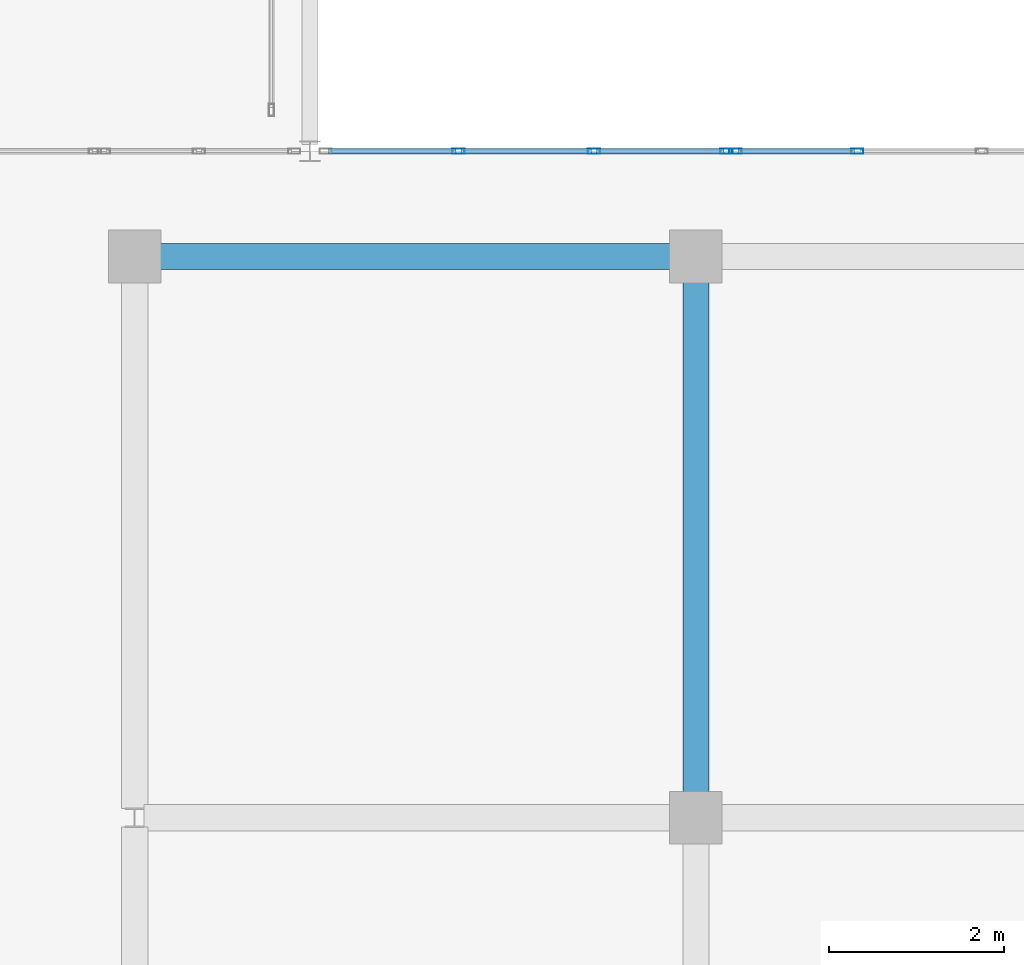
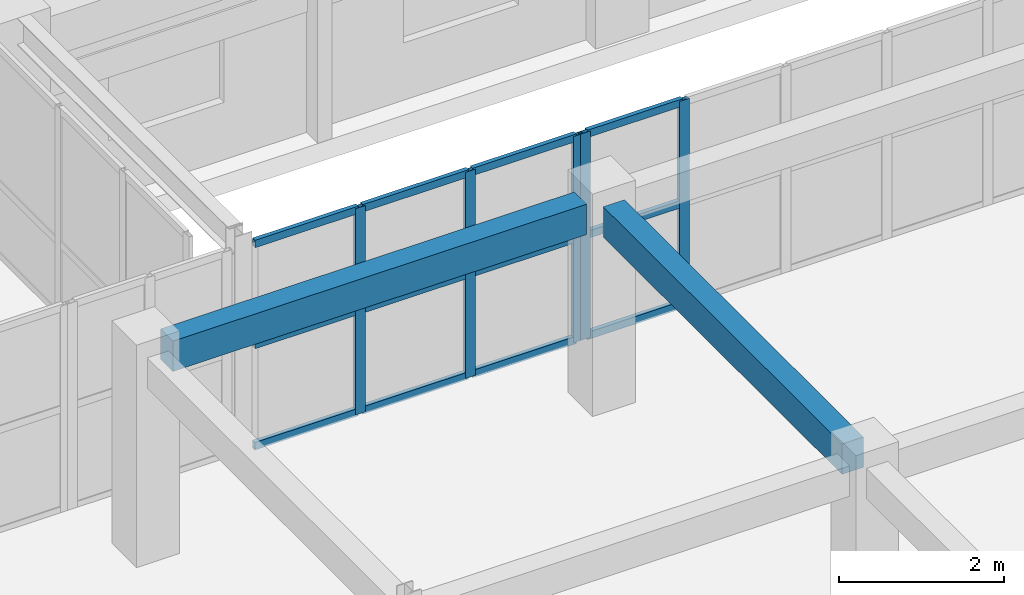
# One storey, part 118 of 200: 17 members, 2 beams, 2 elements without a shape of their own.
"""IFC4 building model written with IfcOpenShell, lengths in metres."""

from ifc_helpers import new_model, si_unit, direction, frame, origin, origin_2d, place, context, subcontext, project, spatial, rectangle, hollow_rectangle, extrude, material, layer, layer_set, material_profile, profile_set, type_object, element, aggregate, save


model = new_model("IFC4")

# Units and contexts
model_context = context("Model", 3, precision=1e-05, world=origin(), true_north=direction((0.0, 1.0)))
body_context = subcontext(model_context, "Body", "Model", "MODEL_VIEW")
ifc_project = project(units=[si_unit("LENGTHUNIT", "METRE"), si_unit("AREAUNIT", "SQUARE_METRE"), si_unit("VOLUMEUNIT", "CUBIC_METRE"), si_unit("PLANEANGLEUNIT", "RADIAN"), si_unit("MASSUNIT", "GRAM", prefix="KILO")], contexts=[model_context])

# Site, building, storey
site_placement = place(None, origin())
site = spatial("IfcSite", under=ifc_project, at=site_placement, CompositionType="ELEMENT")
building_placement = place(site_placement, origin())
building = spatial("IfcBuilding", under=site, at=building_placement, Name="Trelvath General Hospital", CompositionType="ELEMENT")
storey_placement = place(building_placement, frame((0.0, 0.0, 4.800048828125)))
storey = spatial("IfcBuildingStorey", under=building, at=storey_placement, Name="L01", CompositionType="ELEMENT", Elevation=4.800048828125)

# Beams
ifc_material_1 = material(Name="Concrete C35/45", Category="concrete")
ifc_material_profile_1 = material_profile(ifc_material_1, rectangle(XDim=0.300048828125, YDim=0.449951171875, at=origin_2d()), Name="RCB300x450")
ifc_profile_set_1 = profile_set([ifc_material_profile_1], Name="Concrete C35/45")
beam_type = type_object("IfcBeamType", Name="Beam RC300x450", PredefinedType="BEAM", material=ifc_profile_set_1)
for number, where, z_axis, x_axis, name in (
    (1, (107.49609375, 85.60009765625, 2.8349609375), (1.0, 0.0, 0.0), (0.0, 1.0, 0.0), "Cube Interior Ring Beam CUBE-E-T0 L01"),
    (2, (113.60009765625, 79.49609375, 2.8349609375), (0.0, 1.0, 0.0), (-1.0, 0.0, 0.0), "Cube Interior Ring Beam CUBE-E-T0 L01"),
):
    element("IfcBeam", number, at=place(storey_placement, frame(where, z_axis=z_axis, x_axis=x_axis)), inside=storey, type_object=beam_type, Name=name, PredefinedType="BEAM", context=body_context, shape_type="SweptSolid", body=[
        extrude(rectangle(XDim=0.300048828125, YDim=0.449951171875, at=origin_2d()), origin(), (0.0, 0.0, 1.0), 5.807861328125),
    ])

# Curtain wall, members
ifc_material_2 = material(Name="Anodised aluminium and low-E glass", Category="aluminium")
ifc_layer_1 = layer(ifc_material_2, 0.14990234375)
ifc_layer_set_1 = layer_set([ifc_layer_1], Name="Anodised aluminium and low-E glass")
curtain_wall_type_1 = type_object("IfcCurtainWallType", Name="CW CrystalCube 463 306 15", PredefinedType="USERDEFINED", material=ifc_layer_set_1)
curtain_wall_1_placement = place(storey_placement, origin())
curtain_wall_1 = element("IfcCurtainWall", 3, at=curtain_wall_1_placement, inside=storey, type_object=curtain_wall_type_1, Name="Crystal Cube Curtain Wall CUBE-E-T0 N4 L01", ObjectType="Unitised Glazed Curtain Wall", PredefinedType="USERDEFINED")
ifc_material_3 = material(Name="Anodised aluminium", Category="aluminium")
ifc_material_profile_2 = material_profile(ifc_material_3, hollow_rectangle(XDim=0.06005859375, YDim=0.139892578125, WallThickness=0.00390625, at=origin_2d()), Name="RHS60x140x4")
ifc_profile_set_2 = profile_set([ifc_material_profile_2], Name="Anodised aluminium")
member_type_1 = type_object("IfcMemberType", Name="CurtainMullion 60x140", PredefinedType="MULLION", material=ifc_profile_set_2)
member_1_placement = place(storey_placement, frame((110.893310546875, 86.800048828125, 0.0), z_axis=(0.0, 0.0, 1.0), x_axis=(0.0, 1.0, 0.0)))
member_1 = element("IfcMember", 4, at=member_1_placement, type_object=member_type_1, Name="CW-158 mullion 2", PredefinedType="MULLION", context=body_context, shape_type="SweptSolid", body=[
    extrude(hollow_rectangle(XDim=0.06005859375, YDim=0.139892578125, WallThickness=0.00390625, at=origin_2d()), origin(), (0.0, 0.0, 1.0), 3.06005859375),
])
member_2_placement = place(storey_placement, frame((112.436767578125, 86.800048828125, 0.0), z_axis=(0.0, 0.0, 1.0), x_axis=(0.0, 1.0, 0.0)))
member_2 = element("IfcMember", 5, at=member_2_placement, type_object=member_type_1, Name="CW-158 mullion 3", PredefinedType="MULLION", context=body_context, shape_type="SweptSolid", body=[
    extrude(hollow_rectangle(XDim=0.06005859375, YDim=0.139892578125, WallThickness=0.00390625, at=origin_2d()), origin(), (0.0, 0.0, 1.0), 3.06005859375),
])
member_3_placement = place(storey_placement, frame((113.949951171875, 86.800048828125, 0.0), z_axis=(0.0, 0.0, 1.0), x_axis=(0.0, 1.0, 0.0)))
member_3 = element("IfcMember", 6, at=member_3_placement, type_object=member_type_1, Name="CW-158 mullion 4", PredefinedType="MULLION", context=body_context, shape_type="SweptSolid", body=[
    extrude(hollow_rectangle(XDim=0.06005859375, YDim=0.139892578125, WallThickness=0.00390625, at=origin_2d()), origin(), (0.0, 0.0, 1.0), 3.06005859375),
])

ifc_material_4 = material(Name="Anodised aluminium and low-E glass", Category="aluminium")
ifc_layer_2 = layer(ifc_material_4, 0.14990234375)
ifc_layer_set_2 = layer_set([ifc_layer_2], Name="Anodised aluminium and low-E glass")
curtain_wall_type_2 = type_object("IfcCurtainWallType", Name="CW CrystalCube 710 306 15", PredefinedType="USERDEFINED", material=ifc_layer_set_2)
curtain_wall_2_placement = place(storey_placement, origin())
curtain_wall_2 = element("IfcCurtainWall", 7, at=curtain_wall_2_placement, inside=storey, type_object=curtain_wall_type_2, Name="Crystal Cube Curtain Wall CUBE-E-T0 N5 L01", ObjectType="Unitised Glazed Curtain Wall", PredefinedType="USERDEFINED")
member_4_placement = place(storey_placement, frame((114.050048828125, 86.800048828125, 0.0), z_axis=(0.0, 0.0, 1.0), x_axis=(0.0, 1.0, 0.0)))
member_4 = element("IfcMember", 8, at=member_4_placement, type_object=member_type_1, Name="CW-159 mullion 1", PredefinedType="MULLION", context=body_context, shape_type="SweptSolid", body=[
    extrude(hollow_rectangle(XDim=0.06005859375, YDim=0.139892578125, WallThickness=0.00390625, at=origin_2d()), origin(), (0.0, 0.0, 1.0), 3.06005859375),
])
member_5_placement = place(storey_placement, frame((115.43994140625, 86.800048828125, 0.0), z_axis=(0.0, 0.0, 1.0), x_axis=(0.0, 1.0, 0.0)))
member_5 = element("IfcMember", 9, at=member_5_placement, type_object=member_type_1, Name="CW-159 mullion 2", PredefinedType="MULLION", context=body_context, shape_type="SweptSolid", body=[
    extrude(hollow_rectangle(XDim=0.06005859375, YDim=0.139892578125, WallThickness=0.00390625, at=origin_2d()), origin(), (0.0, 0.0, 1.0), 3.06005859375),
])

# Member
ifc_material_5 = material(Name="Anodised aluminium", Category="aluminium")
ifc_material_profile_3 = material_profile(ifc_material_5, hollow_rectangle(XDim=0.06005859375, YDim=0.110107421875, WallThickness=0.00390625, at=origin_2d()), Name="RHS60x110x4")
ifc_profile_set_3 = profile_set([ifc_material_profile_3], Name="Anodised aluminium")
member_type_2 = type_object("IfcMemberType", Name="CurtainTransom 60x110", PredefinedType="USERDEFINED", material=ifc_profile_set_3)
member_6_placement = place(storey_placement, frame((109.409912109375, 86.800048828125, 0.030029296875), z_axis=(1.0, 0.0, 0.0), x_axis=(0.0, 1.0, 0.0)))
member_6 = element("IfcMember", 10, at=member_6_placement, type_object=member_type_2, Name="CW-158 transom 1.1", ObjectType="TRANSOM", PredefinedType="USERDEFINED", context=body_context, shape_type="SweptSolid", body=[
    extrude(hollow_rectangle(XDim=0.06005859375, YDim=0.110107421875, WallThickness=0.00390625, at=origin_2d()), origin(), (0.0, 0.0, 1.0), 1.453369140625),
])

member_7_placement = place(storey_placement, frame((109.409912109375, 86.800048828125, 1.530029296875), z_axis=(1.0, 0.0, 0.0), x_axis=(0.0, 1.0, 0.0)))
member_7 = element("IfcMember", 11, at=member_7_placement, type_object=member_type_2, Name="CW-158 transom 1.2", ObjectType="TRANSOM", PredefinedType="USERDEFINED", context=body_context, shape_type="SweptSolid", body=[
    extrude(hollow_rectangle(XDim=0.06005859375, YDim=0.110107421875, WallThickness=0.00390625, at=origin_2d()), origin(), (0.0, 0.0, 1.0), 1.453369140625),
])

member_8_placement = place(storey_placement, frame((109.409912109375, 86.800048828125, 3.030029296875), z_axis=(1.0, 0.0, 0.0), x_axis=(0.0, 1.0, 0.0)))
member_8 = element("IfcMember", 12, at=member_8_placement, type_object=member_type_2, Name="CW-158 transom 1.3", ObjectType="TRANSOM", PredefinedType="USERDEFINED", context=body_context, shape_type="SweptSolid", body=[
    extrude(hollow_rectangle(XDim=0.06005859375, YDim=0.110107421875, WallThickness=0.00390625, at=origin_2d()), origin(), (0.0, 0.0, 1.0), 1.453369140625),
])

member_9_placement = place(storey_placement, frame((110.92333984375, 86.800048828125, 0.030029296875), z_axis=(1.0, 0.0, 0.0), x_axis=(0.0, 1.0, 0.0)))
member_9 = element("IfcMember", 13, at=member_9_placement, type_object=member_type_2, Name="CW-158 transom 2.1", ObjectType="TRANSOM", PredefinedType="USERDEFINED", context=body_context, shape_type="SweptSolid", body=[
    extrude(hollow_rectangle(XDim=0.06005859375, YDim=0.110107421875, WallThickness=0.00390625, at=origin_2d()), origin(), (0.0, 0.0, 1.0), 1.4833984375),
])

member_10_placement = place(storey_placement, frame((110.92333984375, 86.800048828125, 1.530029296875), z_axis=(1.0, 0.0, 0.0), x_axis=(0.0, 1.0, 0.0)))
member_10 = element("IfcMember", 14, at=member_10_placement, type_object=member_type_2, Name="CW-158 transom 2.2", ObjectType="TRANSOM", PredefinedType="USERDEFINED", context=body_context, shape_type="SweptSolid", body=[
    extrude(hollow_rectangle(XDim=0.06005859375, YDim=0.110107421875, WallThickness=0.00390625, at=origin_2d()), origin(), (0.0, 0.0, 1.0), 1.4833984375),
])

member_11_placement = place(storey_placement, frame((110.92333984375, 86.800048828125, 3.030029296875), z_axis=(1.0, 0.0, 0.0), x_axis=(0.0, 1.0, 0.0)))
member_11 = element("IfcMember", 15, at=member_11_placement, type_object=member_type_2, Name="CW-158 transom 2.3", ObjectType="TRANSOM", PredefinedType="USERDEFINED", context=body_context, shape_type="SweptSolid", body=[
    extrude(hollow_rectangle(XDim=0.06005859375, YDim=0.110107421875, WallThickness=0.00390625, at=origin_2d()), origin(), (0.0, 0.0, 1.0), 1.4833984375),
])

member_12_placement = place(storey_placement, frame((112.466552734375, 86.800048828125, 0.030029296875), z_axis=(1.0, 0.0, 0.0), x_axis=(0.0, 1.0, 0.0)))
member_12 = element("IfcMember", 16, at=member_12_placement, type_object=member_type_2, Name="CW-158 transom 3.1", ObjectType="TRANSOM", PredefinedType="USERDEFINED", context=body_context, shape_type="SweptSolid", body=[
    extrude(hollow_rectangle(XDim=0.06005859375, YDim=0.110107421875, WallThickness=0.00390625, at=origin_2d()), origin(), (0.0, 0.0, 1.0), 1.453369140625),
])

member_13_placement = place(storey_placement, frame((112.466552734375, 86.800048828125, 1.530029296875), z_axis=(1.0, 0.0, 0.0), x_axis=(0.0, 1.0, 0.0)))
member_13 = element("IfcMember", 17, at=member_13_placement, type_object=member_type_2, Name="CW-158 transom 3.2", ObjectType="TRANSOM", PredefinedType="USERDEFINED", context=body_context, shape_type="SweptSolid", body=[
    extrude(hollow_rectangle(XDim=0.06005859375, YDim=0.110107421875, WallThickness=0.00390625, at=origin_2d()), origin(), (0.0, 0.0, 1.0), 1.453369140625),
])

member_14_placement = place(storey_placement, frame((112.466552734375, 86.800048828125, 3.030029296875), z_axis=(1.0, 0.0, 0.0), x_axis=(0.0, 1.0, 0.0)))
member_14 = element("IfcMember", 18, at=member_14_placement, type_object=member_type_2, Name="CW-158 transom 3.3", ObjectType="TRANSOM", PredefinedType="USERDEFINED", context=body_context, shape_type="SweptSolid", body=[
    extrude(hollow_rectangle(XDim=0.06005859375, YDim=0.110107421875, WallThickness=0.00390625, at=origin_2d()), origin(), (0.0, 0.0, 1.0), 1.453369140625),
])

aggregate(curtain_wall_1, [member_1, member_2, member_3, member_6, member_7, member_8, member_9, member_10, member_11, member_12, member_13, member_14])

member_15_placement = place(storey_placement, frame((114.080078125, 86.800048828125, 0.030029296875), z_axis=(1.0, 0.0, 0.0), x_axis=(0.0, 1.0, 0.0)))
member_15 = element("IfcMember", 19, at=member_15_placement, type_object=member_type_2, Name="CW-159 transom 1.1", ObjectType="TRANSOM", PredefinedType="USERDEFINED", context=body_context, shape_type="SweptSolid", body=[
    extrude(hollow_rectangle(XDim=0.06005859375, YDim=0.110107421875, WallThickness=0.00390625, at=origin_2d()), origin(), (0.0, 0.0, 1.0), 1.329833984375),
])

member_16_placement = place(storey_placement, frame((114.080078125, 86.800048828125, 1.530029296875), z_axis=(1.0, 0.0, 0.0), x_axis=(0.0, 1.0, 0.0)))
member_16 = element("IfcMember", 20, at=member_16_placement, type_object=member_type_2, Name="CW-159 transom 1.2", ObjectType="TRANSOM", PredefinedType="USERDEFINED", context=body_context, shape_type="SweptSolid", body=[
    extrude(hollow_rectangle(XDim=0.06005859375, YDim=0.110107421875, WallThickness=0.00390625, at=origin_2d()), origin(), (0.0, 0.0, 1.0), 1.329833984375),
])

member_17_placement = place(storey_placement, frame((114.080078125, 86.800048828125, 3.030029296875), z_axis=(1.0, 0.0, 0.0), x_axis=(0.0, 1.0, 0.0)))
member_17 = element("IfcMember", 21, at=member_17_placement, type_object=member_type_2, Name="CW-159 transom 1.3", ObjectType="TRANSOM", PredefinedType="USERDEFINED", context=body_context, shape_type="SweptSolid", body=[
    extrude(hollow_rectangle(XDim=0.06005859375, YDim=0.110107421875, WallThickness=0.00390625, at=origin_2d()), origin(), (0.0, 0.0, 1.0), 1.329833984375),
])

aggregate(curtain_wall_2, [member_4, member_5, member_15, member_16, member_17])

save(model, "model.ifc")
